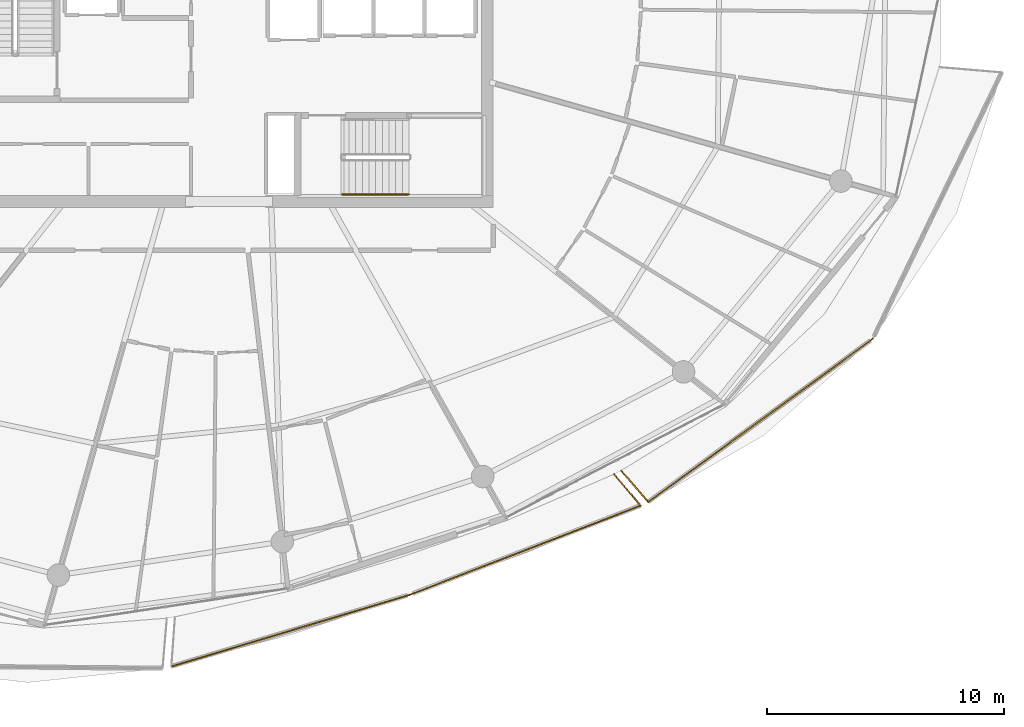
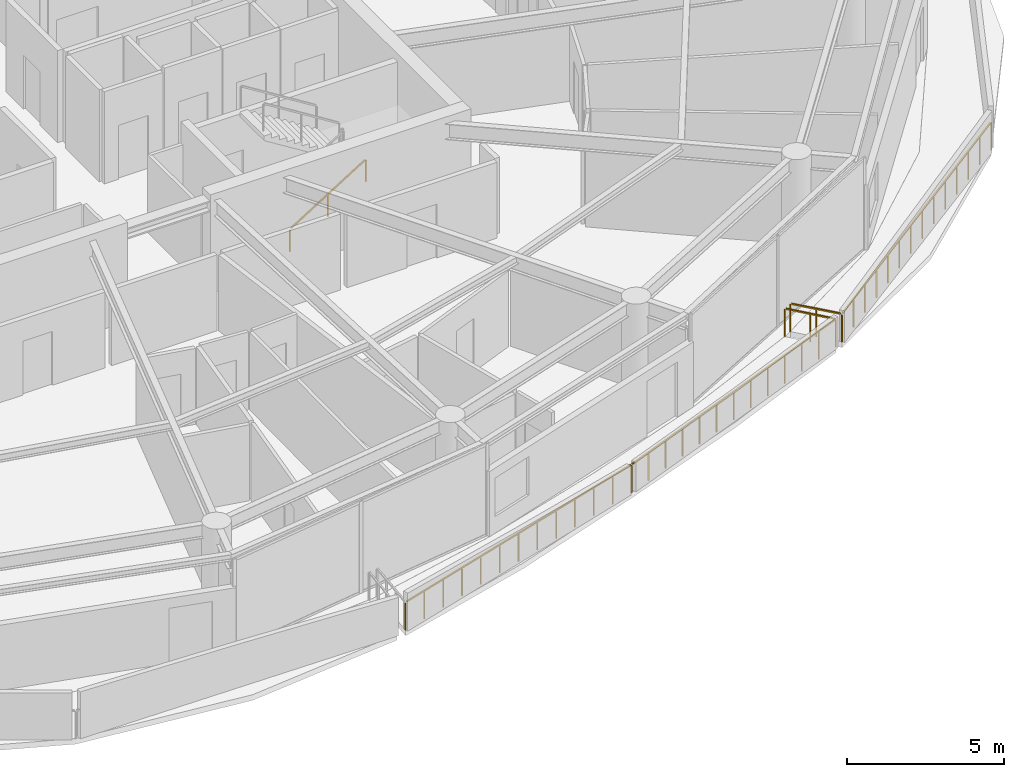
# One storey, part 27 of 31: 6 railings.
"""IFC4 building model written with IfcOpenShell, lengths in metres."""

from ifc_helpers import new_model, si_unit, direction, frame, origin, origin_2d, place, context, subcontext, project, spatial, rectangle, extrude, material, type_object, element, save


model = new_model("IFC4")

# Units and contexts
model_context = context("Model", 3, precision=1e-05, world=origin(), true_north=direction((0.0, 1.0)))
body_context = subcontext(model_context, "Body", "Model", "MODEL_VIEW")
ifc_project = project(units=[si_unit("LENGTHUNIT", "METRE"), si_unit("AREAUNIT", "SQUARE_METRE"), si_unit("VOLUMEUNIT", "CUBIC_METRE"), si_unit("PLANEANGLEUNIT", "RADIAN"), si_unit("MASSUNIT", "GRAM", prefix="KILO")], contexts=[model_context])

# Site, building, storey
site_placement = place(None, origin())
site = spatial("IfcSite", under=ifc_project, at=site_placement, CompositionType="ELEMENT")
building_placement = place(site_placement, origin())
building = spatial("IfcBuilding", under=site, at=building_placement, Name="Kazma Halo Residences", CompositionType="ELEMENT")
storey_placement = place(building_placement, frame((0.0, 0.0, 275.199951171875)))
storey = spatial("IfcBuildingStorey", under=building, at=storey_placement, Name="L69", CompositionType="ELEMENT", Elevation=275.199951171875)

# Railings
ifc_material_1 = material(Name="Aluminium AW-6063 T6 Brushed Cap Rail", Category="aluminium")
railing_type_1 = type_object("IfcRailingType", Name="RLG-BAL-CAP-1120", PredefinedType="BALUSTRADE", material=ifc_material_1)
railing_1_placement = place(storey_placement, frame((45.980224609375, 14.16357421875, 0.0)))
element("IfcRailing", 1, at=railing_1_placement, inside=storey, type_object=railing_type_1, Name="L69 SSE wave balcony guard 2", PredefinedType="BALUSTRADE", context=body_context, shape_type="SweptSolid", body=[
    extrude(rectangle(XDim=0.050048828125, YDim=0.050048828125, at=origin_2d()), frame((0.040771484375, 0.01220703125, 1.09521484375), z_axis=(0.957652462727, 0.287926658427, 0.0), x_axis=(-0.287926658427, 0.957652462727, 0.0)), (0.0, 0.0, 1.0), 10.440185546875),
    extrude(rectangle(XDim=0.0400390625, YDim=0.0400390625, at=origin_2d()), origin(), (0.0, 0.0, 1.0), 1.05810546875),
    extrude(rectangle(XDim=0.0400390625, YDim=0.0400390625, at=origin_2d()), frame((0.83984375, 0.25244140625, 0.0)), (0.0, 0.0, 1.0), 1.05810546875),
    extrude(rectangle(XDim=0.0400390625, YDim=0.0400390625, at=origin_2d()), frame((1.679931640625, 0.505126953125, 0.0)), (0.0, 0.0, 1.0), 1.05810546875),
    extrude(rectangle(XDim=0.0400390625, YDim=0.0400390625, at=origin_2d()), frame((2.52001953125, 0.757568359375, 0.0)), (0.0, 0.0, 1.0), 1.05810546875),
    extrude(rectangle(XDim=0.0400390625, YDim=0.0400390625, at=origin_2d()), frame((3.35986328125, 1.01025390625, 0.0)), (0.0, 0.0, 1.0), 1.05810546875),
    extrude(rectangle(XDim=0.0400390625, YDim=0.0400390625, at=origin_2d()), frame((4.19970703125, 1.2626953125, 0.0)), (0.0, 0.0, 1.0), 1.05810546875),
    extrude(rectangle(XDim=0.0400390625, YDim=0.0400390625, at=origin_2d()), frame((5.039794921875, 1.51513671875, 0.0)), (0.0, 0.0, 1.0), 1.05810546875),
    extrude(rectangle(XDim=0.0400390625, YDim=0.0400390625, at=origin_2d()), frame((5.8798828125, 1.767822265625, 0.0)), (0.0, 0.0, 1.0), 1.05810546875),
    extrude(rectangle(XDim=0.0400390625, YDim=0.0400390625, at=origin_2d()), frame((6.7197265625, 2.020263671875, 0.0)), (0.0, 0.0, 1.0), 1.05810546875),
    extrude(rectangle(XDim=0.0400390625, YDim=0.0400390625, at=origin_2d()), frame((7.5595703125, 2.27294921875, 0.0)), (0.0, 0.0, 1.0), 1.05810546875),
    extrude(rectangle(XDim=0.0400390625, YDim=0.0400390625, at=origin_2d()), frame((8.399658203125, 2.525390625, 0.0)), (0.0, 0.0, 1.0), 1.05810546875),
    extrude(rectangle(XDim=0.0400390625, YDim=0.0400390625, at=origin_2d()), frame((9.23974609375, 2.778076171875, 0.0)), (0.0, 0.0, 1.0), 1.05810546875),
    extrude(rectangle(XDim=0.0400390625, YDim=0.0400390625, at=origin_2d()), frame((10.07958984375, 3.030517578125, 0.0)), (0.0, 0.0, 1.0), 1.05810546875),
])
railing_2_placement = place(storey_placement, frame((56.059814453125, 17.194091796875, 0.0)))
element("IfcRailing", 2, at=railing_2_placement, inside=storey, type_object=railing_type_1, Name="L69 SSE wave balcony guard 3", PredefinedType="BALUSTRADE", context=body_context, shape_type="SweptSolid", body=[
    extrude(rectangle(XDim=0.050048828125, YDim=0.050048828125, at=origin_2d()), frame((0.039794921875, 0.015380859375, 1.09521484375), z_axis=(0.932680975697, 0.36070236702, 0.0), x_axis=(-0.36070236702, 0.932680975697, 0.0)), (0.0, 0.0, 1.0), 10.31591796875),
    extrude(rectangle(XDim=0.0400390625, YDim=0.0400390625, at=origin_2d()), origin(), (0.0, 0.0, 1.0), 1.05810546875),
    extrude(rectangle(XDim=0.0400390625, YDim=0.0400390625, at=origin_2d()), frame((0.808349609375, 0.312744140625, 0.0)), (0.0, 0.0, 1.0), 1.05810546875),
    extrude(rectangle(XDim=0.0400390625, YDim=0.0400390625, at=origin_2d()), frame((1.61669921875, 0.625244140625, 0.0)), (0.0, 0.0, 1.0), 1.05810546875),
    extrude(rectangle(XDim=0.0400390625, YDim=0.0400390625, at=origin_2d()), frame((2.42529296875, 0.93798828125, 0.0)), (0.0, 0.0, 1.0), 1.05810546875),
    extrude(rectangle(XDim=0.0400390625, YDim=0.0400390625, at=origin_2d()), frame((3.233642578125, 1.25048828125, 0.0)), (0.0, 0.0, 1.0), 1.05810546875),
    extrude(rectangle(XDim=0.0400390625, YDim=0.0400390625, at=origin_2d()), frame((4.0419921875, 1.563232421875, 0.0)), (0.0, 0.0, 1.0), 1.05810546875),
    extrude(rectangle(XDim=0.0400390625, YDim=0.0400390625, at=origin_2d()), frame((4.8505859375, 1.8759765625, 0.0)), (0.0, 0.0, 1.0), 1.05810546875),
    extrude(rectangle(XDim=0.0400390625, YDim=0.0400390625, at=origin_2d()), frame((5.658935546875, 2.1884765625, 0.0)), (0.0, 0.0, 1.0), 1.05810546875),
    extrude(rectangle(XDim=0.0400390625, YDim=0.0400390625, at=origin_2d()), frame((6.46728515625, 2.501220703125, 0.0)), (0.0, 0.0, 1.0), 1.05810546875),
    extrude(rectangle(XDim=0.0400390625, YDim=0.0400390625, at=origin_2d()), frame((7.275634765625, 2.813720703125, 0.0)), (0.0, 0.0, 1.0), 1.05810546875),
    extrude(rectangle(XDim=0.0400390625, YDim=0.0400390625, at=origin_2d()), frame((8.083984375, 3.12646484375, 0.0)), (0.0, 0.0, 1.0), 1.05810546875),
    extrude(rectangle(XDim=0.0400390625, YDim=0.0400390625, at=origin_2d()), frame((8.892578125, 3.43896484375, 0.0)), (0.0, 0.0, 1.0), 1.05810546875),
    extrude(rectangle(XDim=0.0400390625, YDim=0.0400390625, at=origin_2d()), frame((9.700927734375, 3.751708984375, 0.0)), (0.0, 0.0, 1.0), 1.05810546875),
])
railing_3_placement = place(storey_placement, frame((65.7607421875, 20.94580078125, 0.0)))
element("IfcRailing", 3, at=railing_3_placement, inside=storey, type_object=railing_type_1, Name="L69 SSE wave balcony guard 4", PredefinedType="BALUSTRADE", context=body_context, shape_type="SweptSolid", body=[
    extrude(rectangle(XDim=0.050048828125, YDim=0.050048828125, at=origin_2d()), frame((-0.02734375, 0.032470703125, 1.09521484375), z_axis=(-0.644847767018, 0.764311034443, 0.0), x_axis=(-0.764311034443, -0.644847767018, 0.0)), (0.0, 0.0, 1.0), 1.64599609375),
    extrude(rectangle(XDim=0.0400390625, YDim=0.0400390625, at=origin_2d()), origin(), (0.0, 0.0, 1.0), 1.05810546875),
    extrude(rectangle(XDim=0.0400390625, YDim=0.0400390625, at=origin_2d()), frame((-0.55810546875, 0.66162109375, 0.0)), (0.0, 0.0, 1.0), 1.05810546875),
    extrude(rectangle(XDim=0.0400390625, YDim=0.0400390625, at=origin_2d()), frame((-1.1162109375, 1.322998046875, 0.0)), (0.0, 0.0, 1.0), 1.05810546875),
])
railing_4_placement = place(storey_placement, frame((64.93212890625, 22.41845703125, 0.0)))
element("IfcRailing", 4, at=railing_4_placement, inside=storey, type_object=railing_type_1, Name="L69 SE wave balcony guard 1", PredefinedType="BALUSTRADE", context=body_context, shape_type="SweptSolid", body=[
    extrude(rectangle(XDim=0.050048828125, YDim=0.050048828125, at=origin_2d()), frame((0.02783203125, -0.0322265625, 1.09521484375), z_axis=(0.654106617809, -0.756402361537, 0.0), x_axis=(0.756402361537, 0.654106617809, 0.0)), (0.0, 0.0, 1.0), 1.664306640625),
    extrude(rectangle(XDim=0.0400390625, YDim=0.0400390625, at=origin_2d()), origin(), (0.0, 0.0, 1.0), 1.05810546875),
    extrude(rectangle(XDim=0.0400390625, YDim=0.0400390625, at=origin_2d()), frame((0.572265625, -0.66162109375, 0.0)), (0.0, 0.0, 1.0), 1.05810546875),
    extrude(rectangle(XDim=0.0400390625, YDim=0.0400390625, at=origin_2d()), frame((1.144287109375, -1.3232421875, 0.0)), (0.0, 0.0, 1.0), 1.05810546875),
])
railing_5_placement = place(storey_placement, frame((66.076416015625, 21.09521484375, 0.0)))
element("IfcRailing", 5, at=railing_5_placement, inside=storey, type_object=railing_type_1, Name="L69 SE wave balcony guard 2", PredefinedType="BALUSTRADE", context=body_context, shape_type="SweptSolid", body=[
    extrude(rectangle(XDim=0.050048828125, YDim=0.050048828125, at=origin_2d()), frame((0.034423828125, 0.02490234375, 1.09521484375), z_axis=(0.809252961713, 0.587460333946, 0.0), x_axis=(-0.587460333946, 0.809252961713, 0.0)), (0.0, 0.0, 1.0), 11.611572265625),
    extrude(rectangle(XDim=0.0400390625, YDim=0.0400390625, at=origin_2d()), origin(), (0.0, 0.0, 1.0), 1.05810546875),
    extrude(rectangle(XDim=0.0400390625, YDim=0.0400390625, at=origin_2d()), frame((0.72802734375, 0.528564453125, 0.0)), (0.0, 0.0, 1.0), 1.05810546875),
    extrude(rectangle(XDim=0.0400390625, YDim=0.0400390625, at=origin_2d()), frame((1.456298828125, 1.05712890625, 0.0)), (0.0, 0.0, 1.0), 1.05810546875),
    extrude(rectangle(XDim=0.0400390625, YDim=0.0400390625, at=origin_2d()), frame((2.184326171875, 1.585693359375, 0.0)), (0.0, 0.0, 1.0), 1.05810546875),
    extrude(rectangle(XDim=0.0400390625, YDim=0.0400390625, at=origin_2d()), frame((2.91259765625, 2.1142578125, 0.0)), (0.0, 0.0, 1.0), 1.05810546875),
    extrude(rectangle(XDim=0.0400390625, YDim=0.0400390625, at=origin_2d()), frame((3.640625, 2.642822265625, 0.0)), (0.0, 0.0, 1.0), 1.05810546875),
    extrude(rectangle(XDim=0.0400390625, YDim=0.0400390625, at=origin_2d()), frame((4.36865234375, 3.17138671875, 0.0)), (0.0, 0.0, 1.0), 1.05810546875),
    extrude(rectangle(XDim=0.0400390625, YDim=0.0400390625, at=origin_2d()), frame((5.096923828125, 3.699951171875, 0.0)), (0.0, 0.0, 1.0), 1.05810546875),
    extrude(rectangle(XDim=0.0400390625, YDim=0.0400390625, at=origin_2d()), frame((5.824951171875, 4.228515625, 0.0)), (0.0, 0.0, 1.0), 1.05810546875),
    extrude(rectangle(XDim=0.0400390625, YDim=0.0400390625, at=origin_2d()), frame((6.552978515625, 4.757080078125, 0.0)), (0.0, 0.0, 1.0), 1.05810546875),
    extrude(rectangle(XDim=0.0400390625, YDim=0.0400390625, at=origin_2d()), frame((7.28125, 5.28564453125, 0.0)), (0.0, 0.0, 1.0), 1.05810546875),
    extrude(rectangle(XDim=0.0400390625, YDim=0.0400390625, at=origin_2d()), frame((8.00927734375, 5.814208984375, 0.0)), (0.0, 0.0, 1.0), 1.05810546875),
    extrude(rectangle(XDim=0.0400390625, YDim=0.0400390625, at=origin_2d()), frame((8.737548828125, 6.3427734375, 0.0)), (0.0, 0.0, 1.0), 1.05810546875),
    extrude(rectangle(XDim=0.0400390625, YDim=0.0400390625, at=origin_2d()), frame((9.465576171875, 6.871337890625, 0.0)), (0.0, 0.0, 1.0), 1.05810546875),
])
ifc_material_2 = material(Name="Brushed Stainless Steel", Category="steel")
railing_type_2 = type_object("IfcRailingType", Name="RLG-STAIR-HND-900", PredefinedType="HANDRAIL", material=ifc_material_2)
railing_6_placement = place(storey_placement, frame((53.199951171875, 34.050048828125, 0.175048828125)))
element("IfcRailing", 6, at=railing_6_placement, inside=storey, type_object=railing_type_2, Name="L69 ST-03 stair handrail 1", PredefinedType="HANDRAIL", context=body_context, shape_type="SweptSolid", body=[
    extrude(rectangle(XDim=0.050048828125, YDim=0.050048828125, at=origin_2d()), frame((0.0361328125, 0.0, 0.8974609375), z_axis=(0.848002457836, 0.0, 0.529992293815), x_axis=(0.0, 1.0, 0.0)), (0.0, 0.0, 1.0), 3.216796875),
    extrude(rectangle(XDim=0.0400390625, YDim=0.0400390625, at=origin_2d()), origin(), (0.0, 0.0, 1.0), 0.837890625),
    extrude(rectangle(XDim=0.0400390625, YDim=0.0400390625, at=origin_2d()), frame((1.39990234375, 0.0, 0.875)), (0.0, 0.0, 1.0), 0.837890625),
    extrude(rectangle(XDim=0.0400390625, YDim=0.0400390625, at=origin_2d()), frame((2.800048828125, 0.0, 1.75)), (0.0, 0.0, 1.0), 0.837890625),
])

save(model, "model.ifc")
